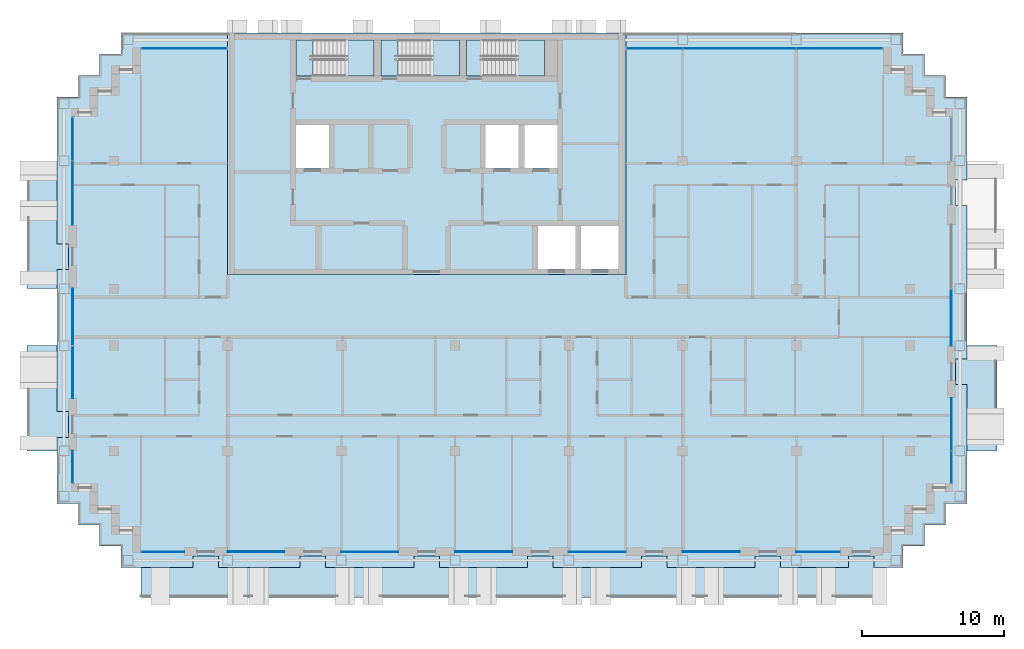
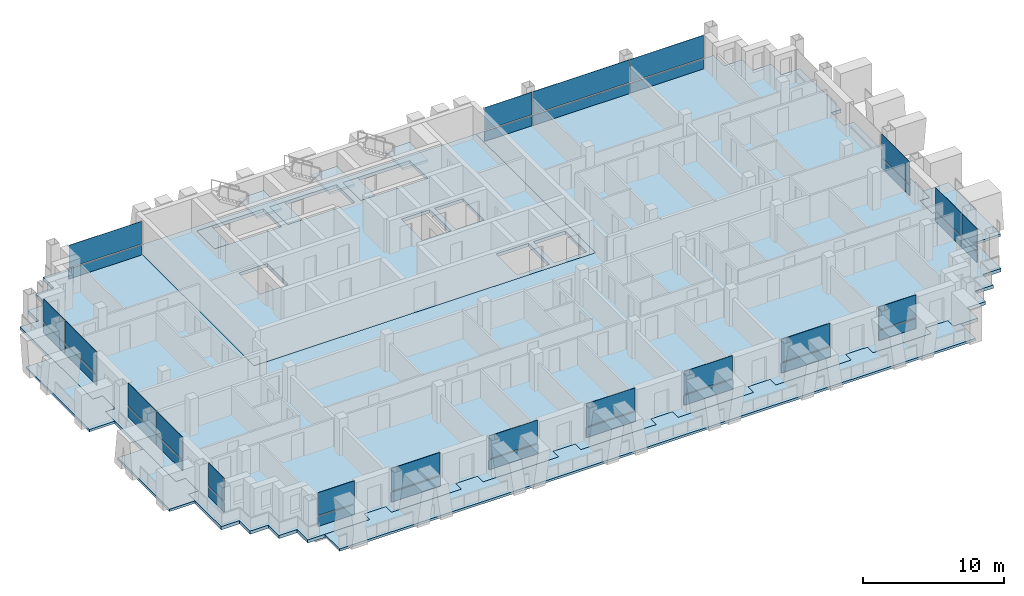
# One storey, part 6 of 16: 38 plates, 12 slabs, 17 elements without a shape of their own.
"""IFC4 building model written with IfcOpenShell, lengths in metres."""

from ifc_helpers import new_model, si_unit, direction, frame, origin, origin_2d, place, context, subcontext, project, spatial, polyline, rectangle, outline, extrude, material, layer, layer_set, type_object, element, aggregate, save


model = new_model("IFC4")

# Units and contexts
model_context = context("Model", 3, precision=1e-05, world=origin(), true_north=direction((0.0, 1.0)))
body_context = subcontext(model_context, "Body", "Model", "MODEL_VIEW")
ifc_project = project(units=[si_unit("LENGTHUNIT", "METRE"), si_unit("AREAUNIT", "SQUARE_METRE"), si_unit("VOLUMEUNIT", "CUBIC_METRE"), si_unit("PLANEANGLEUNIT", "RADIAN"), si_unit("MASSUNIT", "GRAM", prefix="KILO")], contexts=[model_context])

# Site, building, storey
site_placement = place(None, origin())
site = spatial("IfcSite", under=ifc_project, at=site_placement, CompositionType="ELEMENT")
building_placement = place(site_placement, origin())
building = spatial("IfcBuilding", under=site, at=building_placement, Name="Vidyagriha Tower", CompositionType="ELEMENT")
storey_placement = place(building_placement, frame((0.0, 0.0, 187.699951171875)))
storey = spatial("IfcBuildingStorey", under=building, at=storey_placement, Name="L49", CompositionType="ELEMENT", Elevation=187.699951171875)

# Curtain wall, plates
ifc_material_1 = material(Name="Aluminium and glass curtain wall", Category="aluminium")
curtain_wall_type = type_object("IfcCurtainWallType", Name="Dwelling skin unitised curtain wall", PredefinedType="USERDEFINED", material=ifc_material_1)
curtain_wall_1_placement = place(storey_placement, origin())
curtain_wall_1 = element("IfcCurtainWall", 1, at=curtain_wall_1_placement, inside=storey, type_object=curtain_wall_type, Name="CW1 dwelling skin", ObjectType="UNITISED", PredefinedType="USERDEFINED")
ifc_material_2 = material(Name="Glass dark ceramic-fritted spandrel", Category="glass")
ifc_layer_1 = layer(ifc_material_2, 0.0400390625)
ifc_layer_set_1 = layer_set([ifc_layer_1], Name="Glass dark ceramic-fritted spandrel")
plate_type_1 = type_object("IfcPlateType", Name="Ceramic-fritted spandrel panel", PredefinedType="CURTAIN_PANEL", material=ifc_layer_set_1)
plate_1_placement = place(storey_placement, frame((29.032470703125, 18.89990234375, 0.0), z_axis=(0.0, 0.0, 1.0), x_axis=(-1.0, 0.0, 0.0)))
plate_1 = element("IfcPlate", 2, at=plate_1_placement, type_object=plate_type_1, Name="CW1 panel 1.1", PredefinedType="CURTAIN_PANEL", context=body_context, shape_type="SweptSolid", body=[
    extrude(rectangle(XDim=5.9951171875, YDim=0.0400390625, at=origin_2d()), origin(), (0.0, 0.0, 1.0), 0.85009765625),
])
plate_2_placement = place(storey_placement, frame((16.017578125, 18.89990234375, 0.0), z_axis=(0.0, 0.0, 1.0), x_axis=(-1.0, 0.0, 0.0)))
plate_2 = element("IfcPlate", 3, at=plate_2_placement, type_object=plate_type_1, Name="CW1 panel 3.1", PredefinedType="CURTAIN_PANEL", context=body_context, shape_type="SweptSolid", body=[
    extrude(rectangle(XDim=3.89501953125, YDim=0.0400390625, at=origin_2d()), origin(), (0.0, 0.0, 1.0), 0.85009765625),
])

# Curtain wall, plate
curtain_wall_2_placement = place(storey_placement, origin())
curtain_wall_2 = element("IfcCurtainWall", 4, at=curtain_wall_2_placement, inside=storey, type_object=curtain_wall_type, Name="CW1 dwelling skin", ObjectType="UNITISED", PredefinedType="USERDEFINED")
plate_3_placement = place(storey_placement, frame((-17.050048828125, 18.89990234375, 0.0), z_axis=(0.0, 0.0, 1.0), x_axis=(-1.0, 0.0, 0.0)))
plate_3 = element("IfcPlate", 5, at=plate_3_placement, type_object=plate_type_1, Name="CW1 panel 1.1", PredefinedType="CURTAIN_PANEL", context=body_context, shape_type="SweptSolid", body=[
    extrude(rectangle(XDim=5.9599609375, YDim=0.0400390625, at=origin_2d()), origin(), (0.0, 0.0, 1.0), 0.85009765625),
])

# Curtain wall, plates
curtain_wall_3_placement = place(storey_placement, origin())
curtain_wall_3 = element("IfcCurtainWall", 6, at=curtain_wall_3_placement, inside=storey, type_object=curtain_wall_type, Name="CW1 dwelling skin", ObjectType="UNITISED", PredefinedType="USERDEFINED")
plate_4_placement = place(storey_placement, frame((-24.89990234375, 12.532470703125, 0.0), z_axis=(0.0, 0.0, 1.0), x_axis=(0.0, -1.0, 0.0)))
plate_4 = element("IfcPlate", 7, at=plate_4_placement, type_object=plate_type_1, Name="CW1 panel 1.1", PredefinedType="CURTAIN_PANEL", context=body_context, shape_type="SweptSolid", body=[
    extrude(rectangle(XDim=2.9951171875, YDim=0.0400390625, at=origin_2d()), origin(), (0.0, 0.0, 1.0), 0.85009765625),
])
plate_5_placement = place(storey_placement, frame((-24.89990234375, 8.732421875, 0.0), z_axis=(0.0, 0.0, 1.0), x_axis=(0.0, -1.0, 0.0)))
plate_5 = element("IfcPlate", 8, at=plate_5_placement, type_object=plate_type_1, Name="CW1 panel 2.1", PredefinedType="CURTAIN_PANEL", context=body_context, shape_type="SweptSolid", body=[
    extrude(rectangle(XDim=4.465087890625, YDim=0.0400390625, at=origin_2d()), origin(), (0.0, 0.0, 1.0), 0.85009765625),
])

# Curtain wall, plate
curtain_wall_4_placement = place(storey_placement, origin())
curtain_wall_4 = element("IfcCurtainWall", 9, at=curtain_wall_4_placement, inside=storey, type_object=curtain_wall_type, Name="CW1 dwelling skin", ObjectType="UNITISED", PredefinedType="USERDEFINED")
plate_6_placement = place(storey_placement, frame((-24.89990234375, -10.514892578125, 0.0), z_axis=(0.0, 0.0, 1.0), x_axis=(0.0, -1.0, 0.0)))
plate_6 = element("IfcPlate", 10, at=plate_6_placement, type_object=plate_type_1, Name="CW1 panel 1.1", PredefinedType="CURTAIN_PANEL", context=body_context, shape_type="SweptSolid", body=[
    extrude(rectangle(XDim=2.22998046875, YDim=0.0400390625, at=origin_2d()), origin(), (0.0, 0.0, 1.0), 0.85009765625),
])

curtain_wall_5_placement = place(storey_placement, origin())
curtain_wall_5 = element("IfcCurtainWall", 11, at=curtain_wall_5_placement, inside=storey, type_object=curtain_wall_type, Name="CW1 dwelling skin", ObjectType="UNITISED", PredefinedType="USERDEFINED")
plate_7_placement = place(storey_placement, frame((-18.5400390625, -16.5, 0.0)))
plate_7 = element("IfcPlate", 12, at=plate_7_placement, type_object=plate_type_1, Name="CW1 panel 1.1", PredefinedType="CURTAIN_PANEL", context=body_context, shape_type="SweptSolid", body=[
    extrude(rectangle(XDim=2.97998046875, YDim=0.0400390625, at=origin_2d()), origin(), (0.0, 0.0, 1.0), 0.85009765625),
])

curtain_wall_6_placement = place(storey_placement, origin())
curtain_wall_6 = element("IfcCurtainWall", 13, at=curtain_wall_6_placement, inside=storey, type_object=curtain_wall_type, Name="CW1 dwelling skin", ObjectType="UNITISED", PredefinedType="USERDEFINED")
plate_8_placement = place(storey_placement, frame((-4.0, -16.5, 0.0)))
plate_8 = element("IfcPlate", 14, at=plate_8_placement, type_object=plate_type_1, Name="CW1 panel 1.1", PredefinedType="CURTAIN_PANEL", context=body_context, shape_type="SweptSolid", body=[
    extrude(rectangle(XDim=4.0, YDim=0.0400390625, at=origin_2d()), origin(), (0.0, 0.0, 1.0), 0.85009765625),
])

curtain_wall_7_placement = place(storey_placement, origin())
curtain_wall_7 = element("IfcCurtainWall", 15, at=curtain_wall_7_placement, inside=storey, type_object=curtain_wall_type, Name="CW1 dwelling skin", ObjectType="UNITISED", PredefinedType="USERDEFINED")
plate_9_placement = place(storey_placement, frame((12.0, -16.5, 0.0)))
plate_9 = element("IfcPlate", 16, at=plate_9_placement, type_object=plate_type_1, Name="CW1 panel 1.1", PredefinedType="CURTAIN_PANEL", context=body_context, shape_type="SweptSolid", body=[
    extrude(rectangle(XDim=4.0, YDim=0.0400390625, at=origin_2d()), origin(), (0.0, 0.0, 1.0), 0.85009765625),
])

curtain_wall_8_placement = place(storey_placement, origin())
curtain_wall_8 = element("IfcCurtainWall", 17, at=curtain_wall_8_placement, inside=storey, type_object=curtain_wall_type, Name="CW1 dwelling skin", ObjectType="UNITISED", PredefinedType="USERDEFINED")
plate_10_placement = place(storey_placement, frame((27.52490234375, -16.5, 0.0)))
plate_10 = element("IfcPlate", 18, at=plate_10_placement, type_object=plate_type_1, Name="CW1 panel 1.1", PredefinedType="CURTAIN_PANEL", context=body_context, shape_type="SweptSolid", body=[
    extrude(rectangle(XDim=3.050048828125, YDim=0.0400390625, at=origin_2d()), origin(), (0.0, 0.0, 1.0), 0.85009765625),
])

# Curtain wall, plates
curtain_wall_9_placement = place(storey_placement, origin())
curtain_wall_9 = element("IfcCurtainWall", 19, at=curtain_wall_9_placement, inside=storey, type_object=curtain_wall_type, Name="CW1 dwelling skin", ObjectType="UNITISED", PredefinedType="USERDEFINED")
plate_11_placement = place(storey_placement, frame((36.89990234375, -10.532470703125, 0.0), z_axis=(0.0, 0.0, 1.0), x_axis=(0.0, 1.0, 0.0)))
plate_11 = element("IfcPlate", 20, at=plate_11_placement, type_object=plate_type_1, Name="CW1 panel 1.1", PredefinedType="CURTAIN_PANEL", context=body_context, shape_type="SweptSolid", body=[
    extrude(rectangle(XDim=2.195068359375, YDim=0.0400390625, at=origin_2d()), origin(), (0.0, 0.0, 1.0), 0.85009765625),
])
plate_12_placement = place(storey_placement, frame((36.89990234375, -7.532470703125, 0.0), z_axis=(0.0, 0.0, 1.0), x_axis=(0.0, 1.0, 0.0)))
plate_12 = element("IfcPlate", 21, at=plate_12_placement, type_object=plate_type_1, Name="CW1 panel 2.1", PredefinedType="CURTAIN_PANEL", context=body_context, shape_type="SweptSolid", body=[
    extrude(rectangle(XDim=3.6650390625, YDim=0.0400390625, at=origin_2d()), origin(), (0.0, 0.0, 1.0), 0.85009765625),
])

# Slab
ifc_material_3 = material(Name="Concrete C60/75", Category="concrete")
ifc_layer_2 = layer(ifc_material_3, 0.280029296875)
ifc_layer_set_2 = layer_set([ifc_layer_2], Name="Concrete C60/75")
slab_type_1 = type_object("IfcSlabType", Name="Core floor slab 280 mm", PredefinedType="FLOOR", material=ifc_layer_set_2)
slab_1_placement = place(storey_placement, frame((0.0, 0.0, -0.280029296875)))
element("IfcSlab", 22, at=slab_1_placement, inside=storey, type_object=slab_type_1, Name="L49 core floor 1", PredefinedType="FLOOR", context=body_context, shape_type="SweptSolid", body=[
    extrude(outline(polyline([(-14.0, 3.0), (-14.0, 20.0), (14.0, 20.0), (14.0, 3.0), (-14.0, 3.0)]), holes=[polyline([(13.5, 6.39990234375), (10.855712890625, 6.39990234375), (10.855712890625, 3.39990234375), (13.5, 3.39990234375), (13.5, 6.39990234375)]), polyline([(10.45556640625, 6.39990234375), (7.81103515625, 6.39990234375), (7.81103515625, 3.39990234375), (10.45556640625, 3.39990234375), (10.45556640625, 6.39990234375)]), polyline([(9.199951171875, 13.5), (6.86669921875, 13.5), (6.86669921875, 10.5), (9.199951171875, 10.5), (9.199951171875, 13.5)]), polyline([(2.800048828125, 19.5), (2.800048828125, 16.949951171875), (4.0, 16.949951171875), (8.300048828125, 16.949951171875), (8.300048828125, 19.5), (4.0, 19.5), (2.800048828125, 19.5)]), polyline([(4.13330078125, 13.5), (4.13330078125, 10.5), (6.466796875, 10.5), (6.466796875, 13.5), (4.13330078125, 13.5)]), polyline([(-2.0, 19.5), (-3.199951171875, 19.5), (-3.199951171875, 16.949951171875), (-2.0, 16.949951171875), (2.300048828125, 16.949951171875), (2.300048828125, 19.5), (-2.0, 19.5)]), polyline([(-9.199951171875, 19.5), (-9.199951171875, 16.949951171875), (-8.0, 16.949951171875), (-3.699951171875, 16.949951171875), (-3.699951171875, 19.5), (-8.0, 19.5), (-9.199951171875, 19.5)]), polyline([(-9.199951171875, 13.5), (-9.199951171875, 10.5), (-6.86669921875, 10.5), (-6.86669921875, 13.5), (-9.199951171875, 13.5)])]), origin(), (0.0, 0.0, 1.0), 0.280029296875),
])

# Plate
ifc_material_4 = material(Name="Glass dark ceramic-fritted", Category="glass")
ifc_layer_3 = layer(ifc_material_4, 0.028076171875)
ifc_layer_set_3 = layer_set([ifc_layer_3], Name="Glass dark ceramic-fritted")
plate_type_2 = type_object("IfcPlateType", Name="Dark ceramic-fritted vision glass panel", PredefinedType="CURTAIN_PANEL", material=ifc_layer_set_3)
plate_13_placement = place(storey_placement, frame((29.032470703125, 18.89990234375, 0.9501953125), z_axis=(0.0, 0.0, 1.0), x_axis=(-1.0, 0.0, 0.0)))
plate_13 = element("IfcPlate", 23, at=plate_13_placement, type_object=plate_type_2, Name="CW1 panel 1.2", PredefinedType="CURTAIN_PANEL", context=body_context, shape_type="SweptSolid", body=[
    extrude(rectangle(XDim=5.9951171875, YDim=0.028076171875, at=origin_2d()), origin(), (0.0, 0.0, 1.0), 1.969970703125),
])

plate_14_placement = place(storey_placement, frame((22.0, 18.89990234375, 0.9501953125), z_axis=(0.0, 0.0, 1.0), x_axis=(-1.0, 0.0, 0.0)))
plate_14 = element("IfcPlate", 24, at=plate_14_placement, type_object=plate_type_2, Name="CW1 panel 2.2", PredefinedType="CURTAIN_PANEL", context=body_context, shape_type="SweptSolid", body=[
    extrude(rectangle(XDim=7.929931640625, YDim=0.028076171875, at=origin_2d()), origin(), (0.0, 0.0, 1.0), 1.969970703125),
])

plate_15_placement = place(storey_placement, frame((16.017578125, 18.89990234375, 0.9501953125), z_axis=(0.0, 0.0, 1.0), x_axis=(-1.0, 0.0, 0.0)))
plate_15 = element("IfcPlate", 25, at=plate_15_placement, type_object=plate_type_2, Name="CW1 panel 3.2", PredefinedType="CURTAIN_PANEL", context=body_context, shape_type="SweptSolid", body=[
    extrude(rectangle(XDim=3.89501953125, YDim=0.028076171875, at=origin_2d()), origin(), (0.0, 0.0, 1.0), 1.969970703125),
])

plate_16_placement = place(storey_placement, frame((-17.050048828125, 18.89990234375, 0.9501953125), z_axis=(0.0, 0.0, 1.0), x_axis=(-1.0, 0.0, 0.0)))
plate_16 = element("IfcPlate", 26, at=plate_16_placement, type_object=plate_type_2, Name="CW1 panel 1.2", PredefinedType="CURTAIN_PANEL", context=body_context, shape_type="SweptSolid", body=[
    extrude(rectangle(XDim=5.9599609375, YDim=0.028076171875, at=origin_2d()), origin(), (0.0, 0.0, 1.0), 1.969970703125),
])

aggregate(curtain_wall_2, [plate_3, plate_16])

plate_17_placement = place(storey_placement, frame((-24.89990234375, 12.532470703125, 0.9501953125), z_axis=(0.0, 0.0, 1.0), x_axis=(0.0, -1.0, 0.0)))
plate_17 = element("IfcPlate", 27, at=plate_17_placement, type_object=plate_type_2, Name="CW1 panel 1.2", PredefinedType="CURTAIN_PANEL", context=body_context, shape_type="SweptSolid", body=[
    extrude(rectangle(XDim=2.9951171875, YDim=0.028076171875, at=origin_2d()), origin(), (0.0, 0.0, 1.0), 1.969970703125),
])

plate_18_placement = place(storey_placement, frame((-24.89990234375, 8.732421875, 0.9501953125), z_axis=(0.0, 0.0, 1.0), x_axis=(0.0, -1.0, 0.0)))
plate_18 = element("IfcPlate", 28, at=plate_18_placement, type_object=plate_type_2, Name="CW1 panel 2.2", PredefinedType="CURTAIN_PANEL", context=body_context, shape_type="SweptSolid", body=[
    extrude(rectangle(XDim=4.465087890625, YDim=0.028076171875, at=origin_2d()), origin(), (0.0, 0.0, 1.0), 1.969970703125),
])

aggregate(curtain_wall_3, [plate_4, plate_17, plate_5, plate_18])

# Curtain wall, plates
curtain_wall_10_placement = place(storey_placement, origin())
curtain_wall_10 = element("IfcCurtainWall", 29, at=curtain_wall_10_placement, inside=storey, type_object=curtain_wall_type, Name="CW1 dwelling skin", ObjectType="UNITISED", PredefinedType="USERDEFINED")
plate_19_placement = place(storey_placement, frame((-24.89990234375, 0.017578125, 0.9501953125), z_axis=(0.0, 0.0, 1.0), x_axis=(0.0, -1.0, 0.0)))
plate_19 = element("IfcPlate", 30, at=plate_19_placement, type_object=plate_type_2, Name="CW1 panel 1.2", PredefinedType="CURTAIN_PANEL", context=body_context, shape_type="SweptSolid", body=[
    extrude(rectangle(XDim=3.965087890625, YDim=0.028076171875, at=origin_2d()), origin(), (0.0, 0.0, 1.0), 1.969970703125),
])
plate_20_placement = place(storey_placement, frame((-24.89990234375, -3.867431640625, 0.9501953125), z_axis=(0.0, 0.0, 1.0), x_axis=(0.0, -1.0, 0.0)))
plate_20 = element("IfcPlate", 31, at=plate_20_placement, type_object=plate_type_2, Name="CW1 panel 2.2", PredefinedType="CURTAIN_PANEL", context=body_context, shape_type="SweptSolid", body=[
    extrude(rectangle(XDim=3.6650390625, YDim=0.028076171875, at=origin_2d()), origin(), (0.0, 0.0, 1.0), 1.969970703125),
])

# Plate
plate_21_placement = place(storey_placement, frame((-24.89990234375, -10.514892578125, 0.9501953125), z_axis=(0.0, 0.0, 1.0), x_axis=(0.0, -1.0, 0.0)))
plate_21 = element("IfcPlate", 32, at=plate_21_placement, type_object=plate_type_2, Name="CW1 panel 1.2", PredefinedType="CURTAIN_PANEL", context=body_context, shape_type="SweptSolid", body=[
    extrude(rectangle(XDim=2.22998046875, YDim=0.028076171875, at=origin_2d()), origin(), (0.0, 0.0, 1.0), 1.969970703125),
])

aggregate(curtain_wall_4, [plate_6, plate_21])

plate_22_placement = place(storey_placement, frame((-18.5400390625, -16.5, 0.9501953125)))
plate_22 = element("IfcPlate", 33, at=plate_22_placement, type_object=plate_type_2, Name="CW1 panel 1.2", PredefinedType="CURTAIN_PANEL", context=body_context, shape_type="SweptSolid", body=[
    extrude(rectangle(XDim=2.97998046875, YDim=0.028076171875, at=origin_2d()), origin(), (0.0, 0.0, 1.0), 1.969970703125),
])

aggregate(curtain_wall_5, [plate_7, plate_22])

# Curtain wall, plate
curtain_wall_11_placement = place(storey_placement, origin())
curtain_wall_11 = element("IfcCurtainWall", 34, at=curtain_wall_11_placement, inside=storey, type_object=curtain_wall_type, Name="CW1 dwelling skin", ObjectType="UNITISED", PredefinedType="USERDEFINED")
plate_23_placement = place(storey_placement, frame((-12.0, -16.5, 0.9501953125)))
plate_23 = element("IfcPlate", 35, at=plate_23_placement, type_object=plate_type_2, Name="CW1 panel 1.2", PredefinedType="CURTAIN_PANEL", context=body_context, shape_type="SweptSolid", body=[
    extrude(rectangle(XDim=4.0, YDim=0.028076171875, at=origin_2d()), origin(), (0.0, 0.0, 1.0), 1.969970703125),
])

# Plate
plate_24_placement = place(storey_placement, frame((-4.0, -16.5, 0.9501953125)))
plate_24 = element("IfcPlate", 36, at=plate_24_placement, type_object=plate_type_2, Name="CW1 panel 1.2", PredefinedType="CURTAIN_PANEL", context=body_context, shape_type="SweptSolid", body=[
    extrude(rectangle(XDim=4.0, YDim=0.028076171875, at=origin_2d()), origin(), (0.0, 0.0, 1.0), 1.969970703125),
])

aggregate(curtain_wall_6, [plate_8, plate_24])

# Curtain wall, plate
curtain_wall_12_placement = place(storey_placement, origin())
curtain_wall_12 = element("IfcCurtainWall", 37, at=curtain_wall_12_placement, inside=storey, type_object=curtain_wall_type, Name="CW1 dwelling skin", ObjectType="UNITISED", PredefinedType="USERDEFINED")
plate_25_placement = place(storey_placement, frame((4.0, -16.5, 0.9501953125)))
plate_25 = element("IfcPlate", 38, at=plate_25_placement, type_object=plate_type_2, Name="CW1 panel 1.2", PredefinedType="CURTAIN_PANEL", context=body_context, shape_type="SweptSolid", body=[
    extrude(rectangle(XDim=4.0, YDim=0.028076171875, at=origin_2d()), origin(), (0.0, 0.0, 1.0), 1.969970703125),
])

# Plate
plate_26_placement = place(storey_placement, frame((12.0, -16.5, 0.9501953125)))
plate_26 = element("IfcPlate", 39, at=plate_26_placement, type_object=plate_type_2, Name="CW1 panel 1.2", PredefinedType="CURTAIN_PANEL", context=body_context, shape_type="SweptSolid", body=[
    extrude(rectangle(XDim=4.0, YDim=0.028076171875, at=origin_2d()), origin(), (0.0, 0.0, 1.0), 1.969970703125),
])

aggregate(curtain_wall_7, [plate_9, plate_26])

# Curtain wall, plate
curtain_wall_13_placement = place(storey_placement, origin())
curtain_wall_13 = element("IfcCurtainWall", 40, at=curtain_wall_13_placement, inside=storey, type_object=curtain_wall_type, Name="CW1 dwelling skin", ObjectType="UNITISED", PredefinedType="USERDEFINED")
plate_27_placement = place(storey_placement, frame((20.0, -16.5, 0.9501953125)))
plate_27 = element("IfcPlate", 41, at=plate_27_placement, type_object=plate_type_2, Name="CW1 panel 1.2", PredefinedType="CURTAIN_PANEL", context=body_context, shape_type="SweptSolid", body=[
    extrude(rectangle(XDim=4.0, YDim=0.028076171875, at=origin_2d()), origin(), (0.0, 0.0, 1.0), 1.969970703125),
])

# Plate
plate_28_placement = place(storey_placement, frame((27.52490234375, -16.5, 0.9501953125)))
plate_28 = element("IfcPlate", 42, at=plate_28_placement, type_object=plate_type_2, Name="CW1 panel 1.2", PredefinedType="CURTAIN_PANEL", context=body_context, shape_type="SweptSolid", body=[
    extrude(rectangle(XDim=3.050048828125, YDim=0.028076171875, at=origin_2d()), origin(), (0.0, 0.0, 1.0), 1.969970703125),
])

aggregate(curtain_wall_8, [plate_10, plate_28])

plate_29_placement = place(storey_placement, frame((36.89990234375, -10.532470703125, 0.9501953125), z_axis=(0.0, 0.0, 1.0), x_axis=(0.0, 1.0, 0.0)))
plate_29 = element("IfcPlate", 43, at=plate_29_placement, type_object=plate_type_2, Name="CW1 panel 1.2", PredefinedType="CURTAIN_PANEL", context=body_context, shape_type="SweptSolid", body=[
    extrude(rectangle(XDim=2.195068359375, YDim=0.028076171875, at=origin_2d()), origin(), (0.0, 0.0, 1.0), 1.969970703125),
])

plate_30_placement = place(storey_placement, frame((36.89990234375, -7.532470703125, 0.9501953125), z_axis=(0.0, 0.0, 1.0), x_axis=(0.0, 1.0, 0.0)))
plate_30 = element("IfcPlate", 44, at=plate_30_placement, type_object=plate_type_2, Name="CW1 panel 2.2", PredefinedType="CURTAIN_PANEL", context=body_context, shape_type="SweptSolid", body=[
    extrude(rectangle(XDim=3.6650390625, YDim=0.028076171875, at=origin_2d()), origin(), (0.0, 0.0, 1.0), 1.969970703125),
])

aggregate(curtain_wall_9, [plate_11, plate_29, plate_12, plate_30])

# Curtain wall, plate
curtain_wall_14_placement = place(storey_placement, origin())
curtain_wall_14 = element("IfcCurtainWall", 45, at=curtain_wall_14_placement, inside=storey, type_object=curtain_wall_type, Name="CW1 dwelling skin", ObjectType="UNITISED", PredefinedType="USERDEFINED")
plate_31_placement = place(storey_placement, frame((36.89990234375, -0.017578125, 0.9501953125), z_axis=(0.0, 0.0, 1.0), x_axis=(0.0, 1.0, 0.0)))
plate_31 = element("IfcPlate", 46, at=plate_31_placement, type_object=plate_type_2, Name="CW1 panel 1.2", PredefinedType="CURTAIN_PANEL", context=body_context, shape_type="SweptSolid", body=[
    extrude(rectangle(XDim=3.965087890625, YDim=0.028076171875, at=origin_2d()), origin(), (0.0, 0.0, 1.0), 1.969970703125),
])

# Slabs
ifc_material_5 = material(Name="Concrete C40/50", Category="concrete")
ifc_layer_4 = layer(ifc_material_5, 0.280029296875)
ifc_layer_set_4 = layer_set([ifc_layer_4], Name="Concrete C40/50")
slab_type_2 = type_object("IfcSlabType", Name="Exit stair floor landing 280 mm", PredefinedType="LANDING", material=ifc_layer_set_4)
slab_2_placement = place(storey_placement, frame((0.0, 0.0, -0.280029296875)))
element("IfcSlab", 47, at=slab_2_placement, inside=storey, type_object=slab_type_2, Name="ST1 floor landing L49", PredefinedType="LANDING", context=body_context, shape_type="SweptSolid", body=[
    extrude(outline(polyline([(-9.199951171875, 16.949951171875), (-8.0, 16.949951171875), (-8.0, 19.5), (-9.199951171875, 19.5), (-9.199951171875, 16.949951171875)])), origin(), (0.0, 0.0, 1.0), 0.280029296875),
])
slab_3_placement = place(storey_placement, frame((0.0, 0.0, -0.280029296875)))
element("IfcSlab", 48, at=slab_3_placement, inside=storey, type_object=slab_type_2, Name="ST2 floor landing L49", PredefinedType="LANDING", context=body_context, shape_type="SweptSolid", body=[
    extrude(outline(polyline([(-3.199951171875, 16.949951171875), (-2.0, 16.949951171875), (-2.0, 19.5), (-3.199951171875, 19.5), (-3.199951171875, 16.949951171875)])), origin(), (0.0, 0.0, 1.0), 0.280029296875),
])
slab_4_placement = place(storey_placement, frame((0.0, 0.0, -0.280029296875)))
element("IfcSlab", 49, at=slab_4_placement, inside=storey, type_object=slab_type_2, Name="ST3 floor landing L49", PredefinedType="LANDING", context=body_context, shape_type="SweptSolid", body=[
    extrude(outline(polyline([(2.800048828125, 16.949951171875), (4.0, 16.949951171875), (4.0, 19.5), (2.800048828125, 19.5), (2.800048828125, 16.949951171875)])), origin(), (0.0, 0.0, 1.0), 0.280029296875),
])

# Stair, slab
ifc_material_6 = material(Name="Concrete C40/50", Category="concrete")
stair_type = type_object("IfcStairType", Name="Exit stair, half-turn, precast flights", PredefinedType="HALF_TURN_STAIR", material=ifc_material_6)
stair_1_placement = place(storey_placement, origin())
stair_1 = element("IfcStair", 50, at=stair_1_placement, inside=storey, type_object=stair_type, Name="L49 Exit Stair ST1", PredefinedType="HALF_TURN_STAIR")
ifc_material_7 = material(Name="Concrete C40/50", Category="concrete")
ifc_layer_5 = layer(ifc_material_7, 0.199951171875)
ifc_layer_set_5 = layer_set([ifc_layer_5], Name="Concrete C40/50")
slab_type_3 = type_object("IfcSlabType", Name="Exit stair landing 200 mm", PredefinedType="LANDING", material=ifc_layer_set_5)
slab_5_placement = place(storey_placement, frame((0.0, 0.0, 1.400146484375)))
slab_5 = element("IfcSlab", 51, at=slab_5_placement, type_object=slab_type_3, Name="ST1 landing 1", PredefinedType="LANDING", context=body_context, shape_type="SweptSolid", body=[
    extrude(outline(polyline([(-5.760009765625, 16.949951171875), (-3.699951171875, 16.949951171875), (-3.699951171875, 19.5), (-5.760009765625, 19.5), (-5.760009765625, 16.949951171875)])), origin(), (0.0, 0.0, 1.0), 0.199951171875),
])
aggregate(stair_1, [slab_5])

stair_2_placement = place(storey_placement, origin())
stair_2 = element("IfcStair", 52, at=stair_2_placement, inside=storey, type_object=stair_type, Name="L49 Exit Stair ST2", PredefinedType="HALF_TURN_STAIR")
slab_6_placement = place(storey_placement, frame((0.0, 0.0, 1.400146484375)))
slab_6 = element("IfcSlab", 53, at=slab_6_placement, type_object=slab_type_3, Name="ST2 landing 1", PredefinedType="LANDING", context=body_context, shape_type="SweptSolid", body=[
    extrude(outline(polyline([(0.239990234375, 16.949951171875), (2.300048828125, 16.949951171875), (2.300048828125, 19.5), (0.239990234375, 19.5), (0.239990234375, 16.949951171875)])), origin(), (0.0, 0.0, 1.0), 0.199951171875),
])
aggregate(stair_2, [slab_6])

stair_3_placement = place(storey_placement, origin())
stair_3 = element("IfcStair", 54, at=stair_3_placement, inside=storey, type_object=stair_type, Name="L49 Exit Stair ST3", PredefinedType="HALF_TURN_STAIR")
slab_7_placement = place(storey_placement, frame((0.0, 0.0, 1.400146484375)))
slab_7 = element("IfcSlab", 55, at=slab_7_placement, type_object=slab_type_3, Name="ST3 landing 1", PredefinedType="LANDING", context=body_context, shape_type="SweptSolid", body=[
    extrude(outline(polyline([(6.239990234375, 16.949951171875), (8.300048828125, 16.949951171875), (8.300048828125, 19.5), (6.239990234375, 19.5), (6.239990234375, 16.949951171875)])), origin(), (0.0, 0.0, 1.0), 0.199951171875),
])
aggregate(stair_3, [slab_7])

# Plate
ifc_material_8 = material(Name="Aluminium black anodised", Category="aluminium")
ifc_layer_6 = layer(ifc_material_8, 0.06005859375)
ifc_layer_set_6 = layer_set([ifc_layer_6], Name="Aluminium black anodised")
plate_type_3 = type_object("IfcPlateType", Name="Operable black-metal vent panel", PredefinedType="CURTAIN_PANEL", material=ifc_layer_set_6)
plate_32_placement = place(storey_placement, frame((22.0, 18.89990234375, 0.0), z_axis=(0.0, 0.0, 1.0), x_axis=(-1.0, 0.0, 0.0)))
plate_32 = element("IfcPlate", 56, at=plate_32_placement, type_object=plate_type_3, Name="CW1 panel 2.1", PredefinedType="CURTAIN_PANEL", context=body_context, shape_type="SweptSolid", body=[
    extrude(rectangle(XDim=7.929931640625, YDim=0.06005859375, at=origin_2d()), origin(), (0.0, 0.0, 1.0), 0.85009765625),
])

aggregate(curtain_wall_1, [plate_1, plate_13, plate_32, plate_14, plate_2, plate_15])

plate_33_placement = place(storey_placement, frame((-24.89990234375, 0.017578125, 0.0), z_axis=(0.0, 0.0, 1.0), x_axis=(0.0, -1.0, 0.0)))
plate_33 = element("IfcPlate", 57, at=plate_33_placement, type_object=plate_type_3, Name="CW1 panel 1.1", PredefinedType="CURTAIN_PANEL", context=body_context, shape_type="SweptSolid", body=[
    extrude(rectangle(XDim=3.965087890625, YDim=0.06005859375, at=origin_2d()), origin(), (0.0, 0.0, 1.0), 0.85009765625),
])

plate_34_placement = place(storey_placement, frame((-24.89990234375, -3.867431640625, 0.0), z_axis=(0.0, 0.0, 1.0), x_axis=(0.0, -1.0, 0.0)))
plate_34 = element("IfcPlate", 58, at=plate_34_placement, type_object=plate_type_3, Name="CW1 panel 2.1", PredefinedType="CURTAIN_PANEL", context=body_context, shape_type="SweptSolid", body=[
    extrude(rectangle(XDim=3.6650390625, YDim=0.06005859375, at=origin_2d()), origin(), (0.0, 0.0, 1.0), 0.85009765625),
])

aggregate(curtain_wall_10, [plate_33, plate_19, plate_34, plate_20])

plate_35_placement = place(storey_placement, frame((-12.0, -16.5, 0.0)))
plate_35 = element("IfcPlate", 59, at=plate_35_placement, type_object=plate_type_3, Name="CW1 panel 1.1", PredefinedType="CURTAIN_PANEL", context=body_context, shape_type="SweptSolid", body=[
    extrude(rectangle(XDim=4.0, YDim=0.06005859375, at=origin_2d()), origin(), (0.0, 0.0, 1.0), 0.85009765625),
])

aggregate(curtain_wall_11, [plate_35, plate_23])

plate_36_placement = place(storey_placement, frame((4.0, -16.5, 0.0)))
plate_36 = element("IfcPlate", 60, at=plate_36_placement, type_object=plate_type_3, Name="CW1 panel 1.1", PredefinedType="CURTAIN_PANEL", context=body_context, shape_type="SweptSolid", body=[
    extrude(rectangle(XDim=4.0, YDim=0.06005859375, at=origin_2d()), origin(), (0.0, 0.0, 1.0), 0.85009765625),
])

aggregate(curtain_wall_12, [plate_36, plate_25])

plate_37_placement = place(storey_placement, frame((20.0, -16.5, 0.0)))
plate_37 = element("IfcPlate", 61, at=plate_37_placement, type_object=plate_type_3, Name="CW1 panel 1.1", PredefinedType="CURTAIN_PANEL", context=body_context, shape_type="SweptSolid", body=[
    extrude(rectangle(XDim=4.0, YDim=0.06005859375, at=origin_2d()), origin(), (0.0, 0.0, 1.0), 0.85009765625),
])

aggregate(curtain_wall_13, [plate_37, plate_27])

plate_38_placement = place(storey_placement, frame((36.89990234375, -0.017578125, 0.0), z_axis=(0.0, 0.0, 1.0), x_axis=(0.0, 1.0, 0.0)))
plate_38 = element("IfcPlate", 62, at=plate_38_placement, type_object=plate_type_3, Name="CW1 panel 1.1", PredefinedType="CURTAIN_PANEL", context=body_context, shape_type="SweptSolid", body=[
    extrude(rectangle(XDim=3.965087890625, YDim=0.06005859375, at=origin_2d()), origin(), (0.0, 0.0, 1.0), 0.85009765625),
])

aggregate(curtain_wall_14, [plate_38, plate_31])

# Slabs
ifc_material_9 = material(Name="Concrete C50/60", Category="concrete")
ifc_layer_7 = layer(ifc_material_9, 0.280029296875)
ifc_layer_set_7 = layer_set([ifc_layer_7], Name="Concrete C50/60")
slab_type_4 = type_object("IfcSlabType", Name="Post-tensioned flat plate 280", PredefinedType="FLOOR", material=ifc_layer_set_7)
slab_8_placement = place(storey_placement, frame((0.0, 0.0, -0.280029296875)))
element("IfcSlab", 63, at=slab_8_placement, inside=storey, type_object=slab_type_4, Name="st-slab-L49-1", PredefinedType="FLOOR", context=body_context, shape_type="SweptSolid", body=[
    extrude(outline(polyline([(36.5, -14.60009765625), (35.0, -14.60009765625), (35.0, -16.10009765625), (33.5, -16.10009765625), (33.5, -17.60009765625), (31.47509765625, -17.60009765625), (31.47509765625, -16.800048828125), (29.675048828125, -16.800048828125), (29.675048828125, -17.60009765625), (24.89990234375, -17.60009765625), (24.89990234375, -16.800048828125), (23.10009765625, -16.800048828125), (23.10009765625, -17.60009765625), (16.89990234375, -17.60009765625), (16.89990234375, -16.800048828125), (15.10009765625, -16.800048828125), (15.10009765625, -17.60009765625), (8.89990234375, -17.60009765625), (8.89990234375, -16.800048828125), (7.10009765625, -16.800048828125), (7.10009765625, -17.60009765625), (0.89990234375, -17.60009765625), (0.89990234375, -16.800048828125), (-0.89990234375, -16.800048828125), (-0.89990234375, -17.60009765625), (-7.10009765625, -17.60009765625), (-7.10009765625, -16.800048828125), (-8.89990234375, -16.800048828125), (-8.89990234375, -17.60009765625), (-14.625, -17.60009765625), (-14.625, -16.800048828125), (-16.425048828125, -16.800048828125), (-16.425048828125, -17.60009765625), (-21.5, -17.60009765625), (-21.5, -16.10009765625), (-23.0, -16.10009765625), (-23.0, -14.60009765625), (-24.5, -14.60009765625), (-24.5, -13.10009765625), (-26.0, -13.10009765625), (-26.0, -8.449951171875), (-25.199951171875, -8.449951171875), (-25.199951171875, -6.64990234375), (-26.0, -6.64990234375), (-26.0, 3.35009765625), (-25.199951171875, 3.35009765625), (-25.199951171875, 5.14990234375), (-26.0, 5.14990234375), (-26.0, 15.5), (-24.5, 15.5), (-24.5, 17.0), (-23.0, 17.0), (-23.0, 18.5), (-21.5, 18.5), (-21.5, 20.0), (-14.0, 20.0), (-14.0, 3.0), (14.0, 3.0), (14.0, 20.0), (33.5, 20.0), (33.5, 18.5), (35.0, 18.5), (35.0, 17.0), (36.5, 17.0), (36.5, 15.5), (38.0, 15.5), (38.0, 9.64990234375), (37.199951171875, 9.64990234375), (37.199951171875, 7.85009765625), (38.0, 7.85009765625), (38.0, -2.949951171875), (37.199951171875, -2.949951171875), (37.199951171875, -4.75), (38.0, -4.75), (38.0, -13.10009765625), (36.5, -13.10009765625), (36.5, -14.60009765625)])), origin(), (0.0, 0.0, 1.0), 0.280029296875),
])
ifc_material_10 = material(Name="Precast concrete C40/50", Category="concrete")
ifc_layer_8 = layer(ifc_material_10, 0.199951171875)
ifc_layer_set_8 = layer_set([ifc_layer_8], Name="Precast concrete C40/50")
slab_type_5 = type_object("IfcSlabType", Name="Precast balcony slab 200", PredefinedType="USERDEFINED", material=ifc_layer_set_8)
slab_9_placement = place(storey_placement, frame((0.0, 0.0, -0.199951171875)))
element("IfcSlab", 64, at=slab_9_placement, inside=storey, type_object=slab_type_5, Name="Balcony slab L49 R16.1-1", ObjectType="BALCONY", PredefinedType="USERDEFINED", context=body_context, shape_type="SweptSolid", body=[
    extrude(outline(polyline([(-25.199951171875, 3.35009765625), (-25.199951171875, 5.14990234375), (-26.0, 5.14990234375), (-26.0, 11.0), (-28.10009765625, 11.0), (-28.10009765625, 2.0), (-26.0, 2.0), (-26.0, 3.35009765625), (-25.199951171875, 3.35009765625)])), origin(), (0.0, 0.0, 1.0), 0.199951171875),
])
slab_10_placement = place(storey_placement, frame((0.0, 0.0, -0.199951171875)))
element("IfcSlab", 65, at=slab_10_placement, inside=storey, type_object=slab_type_5, Name="Balcony slab L49 R16.2-2", ObjectType="BALCONY", PredefinedType="USERDEFINED", context=body_context, shape_type="SweptSolid", body=[
    extrude(outline(polyline([(-25.199951171875, -8.449951171875), (-25.199951171875, -6.64990234375), (-26.0, -6.64990234375), (-26.0, -2.0), (-28.10009765625, -2.0), (-28.10009765625, -9.39990234375), (-26.0, -9.39990234375), (-26.0, -8.449951171875), (-25.199951171875, -8.449951171875)])), origin(), (0.0, 0.0, 1.0), 0.199951171875),
])
slab_11_placement = place(storey_placement, frame((0.0, 0.0, -0.199951171875)))
element("IfcSlab", 66, at=slab_11_placement, inside=storey, type_object=slab_type_5, Name="Balcony slab L49 R23.1-7", ObjectType="BALCONY", PredefinedType="USERDEFINED", context=body_context, shape_type="SweptSolid", body=[
    extrude(outline(polyline([(-14.625, -16.800048828125), (-16.425048828125, -16.800048828125), (-16.425048828125, -17.60009765625), (-20.10009765625, -17.60009765625), (-20.10009765625, -19.699951171875), (32.10009765625, -19.699951171875), (32.10009765625, -17.60009765625), (31.47509765625, -17.60009765625), (31.47509765625, -16.800048828125), (29.675048828125, -16.800048828125), (29.675048828125, -17.60009765625), (24.89990234375, -17.60009765625), (24.89990234375, -16.800048828125), (23.10009765625, -16.800048828125), (23.10009765625, -17.60009765625), (16.89990234375, -17.60009765625), (16.89990234375, -16.800048828125), (15.10009765625, -16.800048828125), (15.10009765625, -17.60009765625), (8.89990234375, -17.60009765625), (8.89990234375, -16.800048828125), (7.10009765625, -16.800048828125), (7.10009765625, -17.60009765625), (0.89990234375, -17.60009765625), (0.89990234375, -16.800048828125), (-0.89990234375, -16.800048828125), (-0.89990234375, -17.60009765625), (-7.10009765625, -17.60009765625), (-7.10009765625, -16.800048828125), (-8.89990234375, -16.800048828125), (-8.89990234375, -17.60009765625), (-14.625, -17.60009765625), (-14.625, -16.800048828125)])), origin(), (0.0, 0.0, 1.0), 0.199951171875),
])
slab_12_placement = place(storey_placement, frame((0.0, 0.0, -0.199951171875)))
element("IfcSlab", 67, at=slab_12_placement, inside=storey, type_object=slab_type_5, Name="Balcony slab L49 R30.1-1", ObjectType="BALCONY", PredefinedType="USERDEFINED", context=body_context, shape_type="SweptSolid", body=[
    extrude(outline(polyline([(38.0, -4.75), (38.0, -9.39990234375), (40.10009765625, -9.39990234375), (40.10009765625, -2.0), (38.0, -2.0), (38.0, -2.949951171875), (37.199951171875, -2.949951171875), (37.199951171875, -4.75), (38.0, -4.75)])), origin(), (0.0, 0.0, 1.0), 0.199951171875),
])

save(model, "model.ifc")
